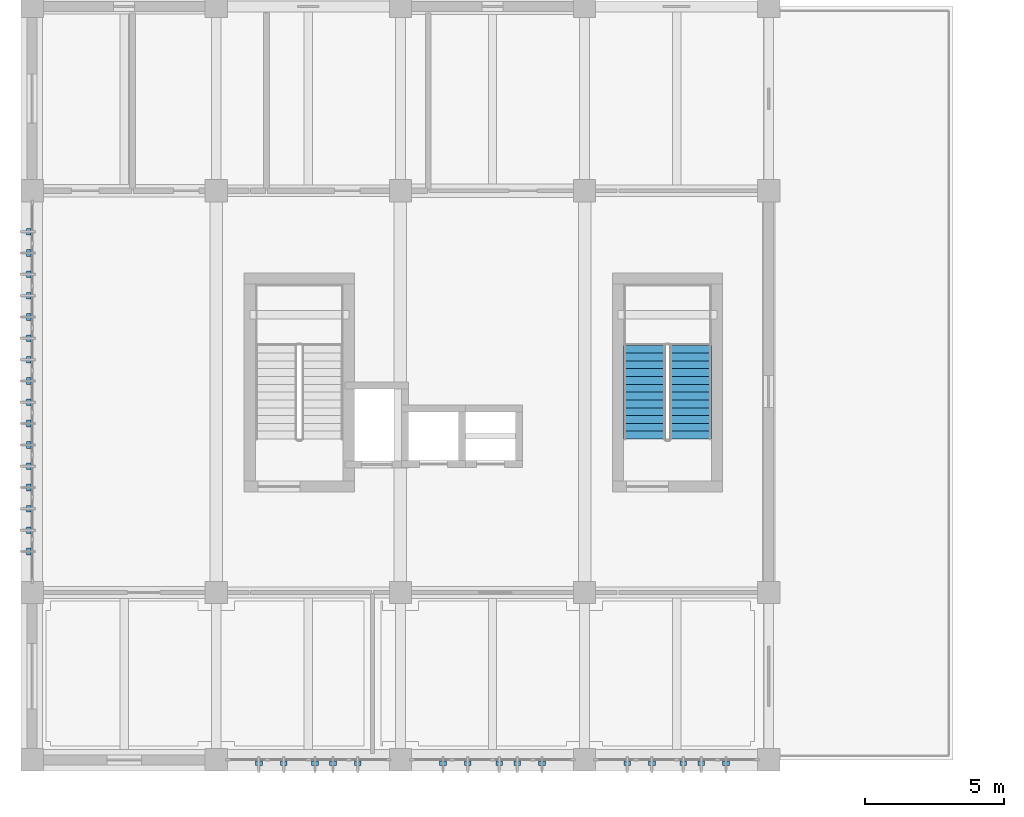
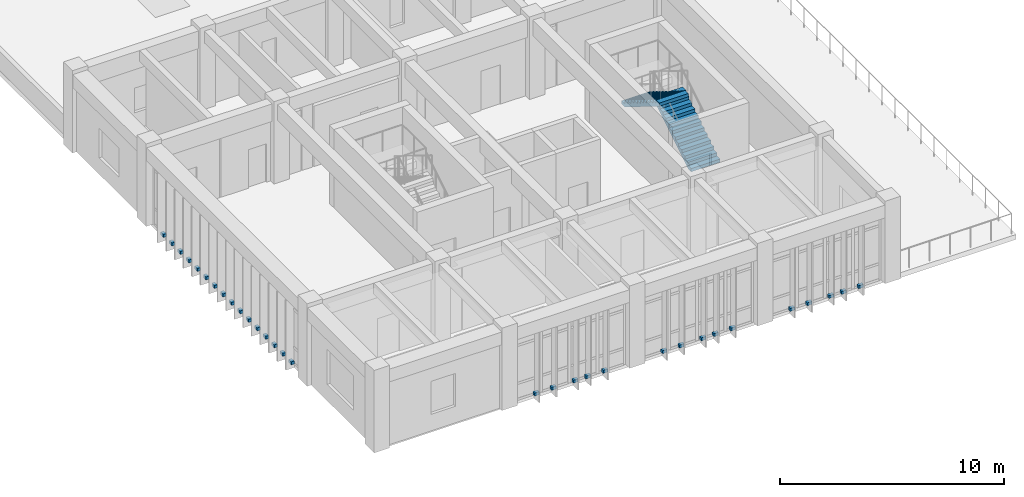
# One storey, part 16 of 18: 31 discrete accessories, 2 stair flights, 1 element without a shape of its own.
"""IFC4 building model written with IfcOpenShell, lengths in metres."""

from ifc_helpers import new_model, si_unit, direction, frame, origin, origin_2d, place, context, subcontext, project, spatial, polyline, rectangle, outline, extrude, material, layer, layer_set, type_object, element, aggregate, save


model = new_model("IFC4")

# Units and contexts
model_context = context("Model", 3, precision=1e-05, world=origin(), true_north=direction((0.0, 1.0)))
body_context = subcontext(model_context, "Body", "Model", "MODEL_VIEW")
ifc_project = project(units=[si_unit("LENGTHUNIT", "METRE"), si_unit("AREAUNIT", "SQUARE_METRE"), si_unit("VOLUMEUNIT", "CUBIC_METRE"), si_unit("PLANEANGLEUNIT", "RADIAN"), si_unit("MASSUNIT", "GRAM", prefix="KILO")], contexts=[model_context])

# Site, building, storey
site_placement = place(None, origin())
site = spatial("IfcSite", under=ifc_project, at=site_placement, CompositionType="ELEMENT")
building_placement = place(site_placement, origin())
building = spatial("IfcBuilding", under=site, at=building_placement, Name="Miralva Faculty of Natural Sciences", CompositionType="ELEMENT")
storey_placement = place(building_placement, frame((0.0, 0.0, 28.5)))
storey = spatial("IfcBuildingStorey", under=building, at=storey_placement, Name="L06", CompositionType="ELEMENT", Elevation=28.5)

# Stair, stair flights
ifc_material_1 = material(Name="Concrete C40/50", Category="concrete")
stair_type = type_object("IfcStairType", Name="ST-CORE-450", PredefinedType="HALF_TURN_STAIR", material=ifc_material_1)
stair_placement = place(storey_placement, origin())
stair = element("IfcStair", 1, at=stair_placement, inside=storey, type_object=stair_type, Name="Exit Stair Core C1B (ST-03) L06", PredefinedType="HALF_TURN_STAIR")
ifc_layer = layer(ifc_material_1, 0.159912109375, Name="SFL-160-166")
ifc_layer_set = layer_set([ifc_layer], Name="Concrete C40/50")
stair_flight_type = type_object("IfcStairFlightType", Name="SFL-160-166", PredefinedType="STRAIGHT", material=ifc_layer_set)
stair_flight_1_placement = place(storey_placement, frame((26.60009765625, 14.5, 0.0), z_axis=(0.0, 0.0, 1.0), x_axis=(0.0, 1.0, 0.0)))
stair_flight_1 = element("IfcStairFlight", 2, at=stair_flight_1_placement, type_object=stair_flight_type, Name="ST-03 flight 1", NumberOfRisers=13, NumberOfTreads=12, PredefinedType="STRAIGHT", RiserHeight=0.173076923, TreadLength=0.28, context=body_context, shape_type="SweptSolid", body=[
    extrude(outline(polyline([(0.0, 0.0), (0.0, 0.173095703125), (0.280029296875, 0.173095703125), (0.280029296875, 0.34619140625), (0.56005859375, 0.34619140625), (0.56005859375, 0.519287109375), (0.840087890625, 0.519287109375), (0.840087890625, 0.6923828125), (1.1201171875, 0.6923828125), (1.1201171875, 0.865478515625), (1.39990234375, 0.865478515625), (1.39990234375, 1.03857421875), (1.679931640625, 1.03857421875), (1.679931640625, 1.21142578125), (1.9599609375, 1.21142578125), (1.9599609375, 1.384521484375), (2.239990234375, 1.384521484375), (2.239990234375, 1.5576171875), (2.52001953125, 1.5576171875), (2.52001953125, 1.730712890625), (2.800048828125, 1.730712890625), (2.800048828125, 1.90380859375), (3.080078125, 1.90380859375), (3.080078125, 2.076904296875), (3.360107421875, 2.076904296875), (3.360107421875, 2.25), (3.360107421875, 1.900634765625), (0.28515625, 0.0), (0.0, 0.0)])), frame((0.0, 0.75, 0.0), z_axis=(0.0, -1.0, 0.0), x_axis=(1.0, 0.0, 0.0)), (0.0, 0.0, 1.0), 1.5),
])
stair_flight_2_placement = place(storey_placement, frame((24.949951171875, 17.860107421875, 2.25), z_axis=(0.0, 0.0, 1.0), x_axis=(0.0, -1.0, 0.0)))
stair_flight_2 = element("IfcStairFlight", 3, at=stair_flight_2_placement, type_object=stair_flight_type, Name="ST-03 flight 2", NumberOfRisers=13, NumberOfTreads=12, PredefinedType="STRAIGHT", RiserHeight=0.173076923, TreadLength=0.28, context=body_context, shape_type="SweptSolid", body=[
    extrude(outline(polyline([(0.0, 0.0), (0.0, 0.173095703125), (0.280029296875, 0.173095703125), (0.280029296875, 0.34619140625), (0.56005859375, 0.34619140625), (0.56005859375, 0.519287109375), (0.840087890625, 0.519287109375), (0.840087890625, 0.6923828125), (1.1201171875, 0.6923828125), (1.1201171875, 0.865478515625), (1.39990234375, 0.865478515625), (1.39990234375, 1.03857421875), (1.679931640625, 1.03857421875), (1.679931640625, 1.21142578125), (1.9599609375, 1.21142578125), (1.9599609375, 1.384521484375), (2.239990234375, 1.384521484375), (2.239990234375, 1.5576171875), (2.52001953125, 1.5576171875), (2.52001953125, 1.730712890625), (2.800048828125, 1.730712890625), (2.800048828125, 1.90380859375), (3.080078125, 1.90380859375), (3.080078125, 2.076904296875), (3.360107421875, 2.076904296875), (3.360107421875, 2.25), (3.360107421875, 1.900634765625), (0.28515625, 0.0), (0.0, 0.0)])), frame((0.0, 0.75, 0.0), z_axis=(0.0, -1.0, 0.0), x_axis=(1.0, 0.0, 0.0)), (0.0, 0.0, 1.0), 1.5),
])
aggregate(stair, [stair_flight_1, stair_flight_2])

# Discrete accessories
ifc_material_2 = material(Name="Steel S355", Category="steel")
discrete_accessory_type = type_object("IfcDiscreteAccessoryType", Name="ACC-BRK01", PredefinedType="BRACKET", material=ifc_material_2)
for number, where, z_axis, x_axis, name in (
    (4, (11.1279296875, 2.8798828125, 0.0400390625), (0.0, 0.0, 1.0), (0.0, -1.0, 0.0), "Solar fin bracket L06-369"),
    (5, (12.013916015625, 2.8798828125, 0.0400390625), (0.0, 0.0, 1.0), (0.0, -1.0, 0.0), "Solar fin bracket L06-370"),
    (6, (13.139892578125, 2.8798828125, 0.0400390625), (0.0, 0.0, 1.0), (0.0, -1.0, 0.0), "Solar fin bracket L06-371"),
    (7, (13.785888671875, 2.8798828125, 0.0400390625), (0.0, 0.0, 1.0), (0.0, -1.0, 0.0), "Solar fin bracket L06-372"),
    (8, (14.672119140625, 2.8798828125, 0.0400390625), (0.0, 0.0, 1.0), (0.0, -1.0, 0.0), "Solar fin bracket L06-373"),
    (9, (17.72802734375, 2.8798828125, 0.0400390625), (0.0, 0.0, 1.0), (0.0, -1.0, 0.0), "Solar fin bracket L06-374"),
    (10, (18.614013671875, 2.8798828125, 0.0400390625), (0.0, 0.0, 1.0), (0.0, -1.0, 0.0), "Solar fin bracket L06-375"),
    (11, (19.739990234375, 2.8798828125, 0.0400390625), (0.0, 0.0, 1.0), (0.0, -1.0, 0.0), "Solar fin bracket L06-376"),
    (12, (20.385986328125, 2.8798828125, 0.0400390625), (0.0, 0.0, 1.0), (0.0, -1.0, 0.0), "Solar fin bracket L06-377"),
    (13, (21.27197265625, 2.8798828125, 0.0400390625), (0.0, 0.0, 1.0), (0.0, -1.0, 0.0), "Solar fin bracket L06-378"),
    (14, (24.327880859375, 2.8798828125, 0.0400390625), (0.0, 0.0, 1.0), (0.0, -1.0, 0.0), "Solar fin bracket L06-379"),
    (15, (25.214111328125, 2.8798828125, 0.0400390625), (0.0, 0.0, 1.0), (0.0, -1.0, 0.0), "Solar fin bracket L06-380"),
    (16, (26.340087890625, 2.8798828125, 0.0400390625), (0.0, 0.0, 1.0), (0.0, -1.0, 0.0), "Solar fin bracket L06-381"),
    (17, (26.986083984375, 2.8798828125, 0.0400390625), (0.0, 0.0, 1.0), (0.0, -1.0, 0.0), "Solar fin bracket L06-382"),
    (18, (27.8720703125, 2.8798828125, 0.0400390625), (0.0, 0.0, 1.0), (0.0, -1.0, 0.0), "Solar fin bracket L06-383"),
    (19, (2.8798828125, 10.46728515625, 0.0400390625), (0.0, 0.0, 1.0), (-1.0, 0.0, 0.0), "Solar fin bracket L06-384"),
    (20, (2.8798828125, 11.231689453125, 0.0400390625), (0.0, 0.0, 1.0), (-1.0, 0.0, 0.0), "Solar fin bracket L06-385"),
    (21, (2.8798828125, 11.995849609375, 0.0400390625), (0.0, 0.0, 1.0), (-1.0, 0.0, 0.0), "Solar fin bracket L06-386"),
    (22, (2.8798828125, 12.76025390625, 0.0400390625), (0.0, 0.0, 1.0), (-1.0, 0.0, 0.0), "Solar fin bracket L06-387"),
    (23, (2.8798828125, 13.524658203125, 0.0400390625), (0.0, 0.0, 1.0), (-1.0, 0.0, 0.0), "Solar fin bracket L06-388"),
    (24, (2.8798828125, 14.2890625, 0.0400390625), (0.0, 0.0, 1.0), (-1.0, 0.0, 0.0), "Solar fin bracket L06-389"),
    (25, (2.8798828125, 15.053466796875, 0.0400390625), (0.0, 0.0, 1.0), (-1.0, 0.0, 0.0), "Solar fin bracket L06-390"),
    (26, (2.8798828125, 15.81787109375, 0.0400390625), (0.0, 0.0, 1.0), (-1.0, 0.0, 0.0), "Solar fin bracket L06-391"),
    (27, (2.8798828125, 16.582275390625, 0.0400390625), (0.0, 0.0, 1.0), (-1.0, 0.0, 0.0), "Solar fin bracket L06-392"),
    (28, (2.8798828125, 17.3466796875, 0.0400390625), (0.0, 0.0, 1.0), (-1.0, 0.0, 0.0), "Solar fin bracket L06-393"),
    (29, (2.8798828125, 18.11083984375, 0.0400390625), (0.0, 0.0, 1.0), (-1.0, 0.0, 0.0), "Solar fin bracket L06-394"),
    (30, (2.8798828125, 18.875244140625, 0.0400390625), (0.0, 0.0, 1.0), (-1.0, 0.0, 0.0), "Solar fin bracket L06-395"),
    (31, (2.8798828125, 19.6396484375, 0.0400390625), (0.0, 0.0, 1.0), (-1.0, 0.0, 0.0), "Solar fin bracket L06-396"),
    (32, (2.8798828125, 20.404052734375, 0.0400390625), (0.0, 0.0, 1.0), (-1.0, 0.0, 0.0), "Solar fin bracket L06-397"),
    (33, (2.8798828125, 21.16845703125, 0.0400390625), (0.0, 0.0, 1.0), (-1.0, 0.0, 0.0), "Solar fin bracket L06-398"),
    (34, (2.8798828125, 21.932861328125, 0.0400390625), (0.0, 0.0, 1.0), (-1.0, 0.0, 0.0), "Solar fin bracket L06-399"),
):
    element("IfcDiscreteAccessory", number, at=place(storey_placement, frame(where, z_axis=z_axis, x_axis=x_axis)), inside=storey, type_object=discrete_accessory_type, Name=name, PredefinedType="BRACKET", context=body_context, shape_type="SweptSolid", body=[
        extrude(rectangle(XDim=0.159912109375, YDim=0.239990234375, at=origin_2d()), origin(), (0.0, 0.0, 1.0), 0.159912109375),
    ])

save(model, "model.ifc")
